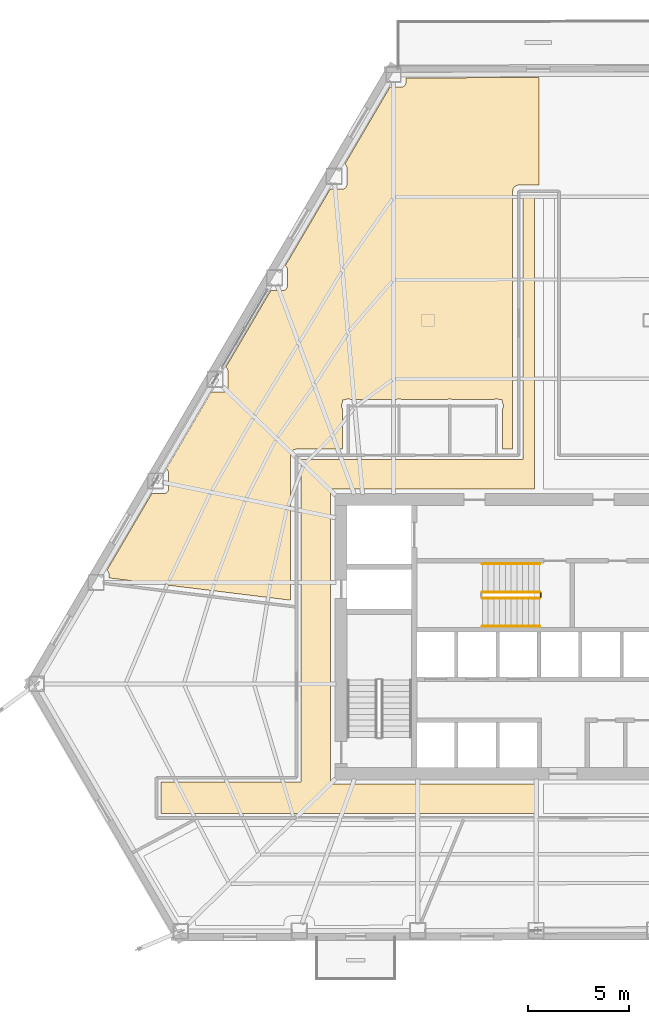
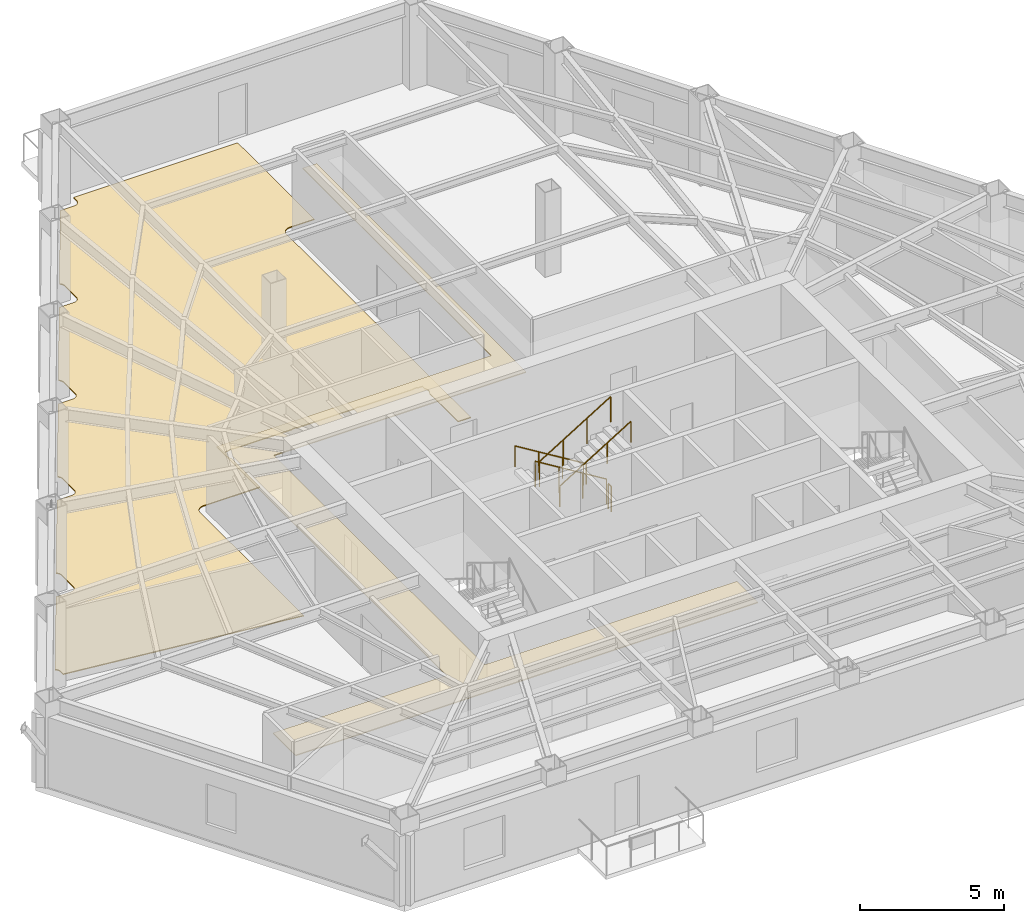
# One storey, part 13 of 15: 5 railings, 2 coverings.
"""IFC4 building model written with IfcOpenShell, lengths in metres."""

from ifc_helpers import new_model, si_unit, direction, frame, origin, origin_2d, place, context, subcontext, project, spatial, polyline, circle, outline, extrude, material, layer, layer_set, type_object, element, save


model = new_model("IFC4")

# Units and contexts
model_context = context("Model", 3, precision=1e-05, world=origin(), true_north=direction((0.0, 1.0)))
body_context = subcontext(model_context, "Body", "Model", "MODEL_VIEW")
ifc_project = project(units=[si_unit("LENGTHUNIT", "METRE"), si_unit("AREAUNIT", "SQUARE_METRE"), si_unit("VOLUMEUNIT", "CUBIC_METRE"), si_unit("PLANEANGLEUNIT", "RADIAN"), si_unit("MASSUNIT", "GRAM", prefix="KILO")], contexts=[model_context])

# Site, building, storey
site_placement = place(None, origin())
site = spatial("IfcSite", under=ifc_project, at=site_placement, CompositionType="ELEMENT")
building_placement = place(site_placement, origin())
building = spatial("IfcBuilding", under=site, at=building_placement, Name="Kavelnor Concourse Tower", CompositionType="ELEMENT")
storey_placement = place(building_placement, frame((0.0, 0.0, 63.75)))
storey = spatial("IfcBuildingStorey", under=building, at=storey_placement, Name="L16", CompositionType="ELEMENT", Elevation=63.75)

# Coverings
ifc_material_1 = material(Name="Mineral fibre acoustic ceiling tile")
ifc_layer_1 = layer(ifc_material_1, 0.0400390625, Name="Mineral fibre acoustic ceiling tile")
ifc_layer_set_1 = layer_set([ifc_layer_1], Name="Mineral fibre acoustic ceiling tile")
covering_type_1 = type_object("IfcCoveringType", Name="COV-CEILING-ACOUSTIC", PredefinedType="CEILING", material=ifc_layer_set_1)
covering_1_placement = place(storey_placement, frame((0.0, 0.0, 2.75)))
element("IfcCovering", 1, at=covering_1_placement, inside=storey, type_object=covering_type_1, Name="L16 Suspended Acoustic Ceiling", PredefinedType="CEILING", context=body_context, shape_type="SweptSolid", body=[
    extrude(outline(polyline([(37.219970703125, 37.97998046875), (37.77490234375, 37.97998046875), (37.77490234375, 23.419921875), (27.659912109375, 23.419921875), (27.659912109375, 8.780029296875), (37.77490234375, 8.780029296875), (37.77490234375, 7.320068359375), (19.23681640625, 7.320068359375), (19.23681640625, 8.8798828125), (26.199951171875, 8.8798828125), (26.199951171875, 24.8798828125), (37.219970703125, 24.8798828125), (37.219970703125, 37.97998046875)])), origin(), (0.0, 0.0, 1.0), 0.0400390625),
])
ifc_material_2 = material(Name="Honed bluestone and raised access floor finish", Category="masonry")
ifc_layer_2 = layer(ifc_material_2, 0.0400390625, Name="Honed bluestone and raised access floor finish")
ifc_layer_set_2 = layer_set([ifc_layer_2], Name="Honed bluestone and raised access floor finish")
covering_type_2 = type_object("IfcCoveringType", Name="COV-FLOOR-STONE", PredefinedType="FLOORING", material=ifc_layer_set_2)
covering_2_placement = place(storey_placement, frame((0.0, 0.0, 0.001953125)))
element("IfcCovering", 2, at=covering_2_placement, inside=storey, type_object=covering_type_2, Name="L16 Honed Bluestone Floor Finish", PredefinedType="FLOORING", context=body_context, shape_type="SweptSolid", body=[
    extrude(outline(polyline([(19.401123046875, 23.1923828125), (19.424560546875, 23.19580078125), (19.447265625, 23.201416015625), (19.469482421875, 23.20947265625), (19.490966796875, 23.219482421875), (19.510986328125, 23.231689453125), (19.530029296875, 23.24560546875), (19.547607421875, 23.261474609375), (19.563232421875, 23.279052734375), (19.577392578125, 23.2978515625), (19.589599609375, 23.318115234375), (19.599609375, 23.339599609375), (19.607421875, 23.36181640625), (19.61328125, 23.384521484375), (19.61669921875, 23.40771484375), (19.61767578125, 23.426025390625), (19.61767578125, 24.23681640625), (19.61669921875, 24.2548828125), (19.61328125, 24.2783203125), (19.607421875, 24.301025390625), (19.599609375, 24.3232421875), (19.589599609375, 24.3447265625), (19.577392578125, 24.364990234375), (19.563232421875, 24.3837890625), (19.547607421875, 24.4013671875), (19.530029296875, 24.4169921875), (19.51318359375, 24.429443359375), (21.739013671875, 28.22900390625), (22.333740234375, 28.22900390625), (22.35205078125, 28.22998046875), (22.375244140625, 28.2333984375), (22.398193359375, 28.2392578125), (22.42041015625, 28.2470703125), (22.441650390625, 28.257080078125), (22.4619140625, 28.269287109375), (22.480712890625, 28.283447265625), (22.498291015625, 28.29931640625), (22.51416015625, 28.316650390625), (22.5283203125, 28.335693359375), (22.540283203125, 28.355712890625), (22.55029296875, 28.377197265625), (22.558349609375, 28.3994140625), (22.56396484375, 28.422119140625), (22.5673828125, 28.445556640625), (22.568359375, 28.463623046875), (22.568359375, 29.2744140625), (22.5673828125, 29.292724609375), (22.56396484375, 29.31591796875), (22.558349609375, 29.3388671875), (22.55029296875, 29.361083984375), (22.540283203125, 29.38232421875), (22.5283203125, 29.402587890625), (22.51416015625, 29.42138671875), (22.498291015625, 29.43896484375), (22.480712890625, 29.454833984375), (22.464111328125, 29.46728515625), (24.68994140625, 33.266845703125), (25.28466796875, 33.266845703125), (25.302978515625, 33.267578125), (25.326171875, 33.271240234375), (25.34912109375, 33.27685546875), (25.37109375, 33.284912109375), (25.392578125, 33.294921875), (25.412841796875, 33.306884765625), (25.431640625, 33.321044921875), (25.44921875, 33.3369140625), (25.465087890625, 33.3544921875), (25.47900390625, 33.373291015625), (25.4912109375, 33.3935546875), (25.501220703125, 33.414794921875), (25.50927734375, 33.43701171875), (25.514892578125, 33.4599609375), (25.518310546875, 33.483154296875), (25.519287109375, 33.50146484375), (25.519287109375, 34.312255859375), (25.518310546875, 34.330322265625), (25.514892578125, 34.353759765625), (25.50927734375, 34.37646484375), (25.501220703125, 34.398681640625), (25.4912109375, 34.420166015625), (25.47900390625, 34.440185546875), (25.465087890625, 34.459228515625), (25.44921875, 34.476806640625), (25.431640625, 34.492431640625), (25.4150390625, 34.5048828125), (27.640869140625, 38.3046875), (28.235595703125, 38.3046875), (28.25390625, 38.305419921875), (28.277099609375, 38.30908203125), (28.2998046875, 38.314697265625), (28.322021484375, 38.322509765625), (28.343505859375, 38.332763671875), (28.36376953125, 38.3447265625), (28.382568359375, 38.35888671875), (28.400146484375, 38.374755859375), (28.416015625, 38.39208984375), (28.429931640625, 38.4111328125), (28.442138671875, 38.431396484375), (28.4521484375, 38.45263671875), (28.460205078125, 38.474853515625), (28.4658203125, 38.497802734375), (28.46923828125, 38.52099609375), (28.47021484375, 38.539306640625), (28.47021484375, 39.35009765625), (28.46923828125, 39.3681640625), (28.4658203125, 39.3916015625), (28.460205078125, 39.414306640625), (28.4521484375, 39.4365234375), (28.442138671875, 39.4580078125), (28.429931640625, 39.47802734375), (28.416015625, 39.4970703125), (28.400146484375, 39.514404296875), (28.382568359375, 39.5302734375), (28.365966796875, 39.542724609375), (30.603515625, 43.3623046875), (31.16650390625, 43.3623046875), (31.184814453125, 43.36328125), (31.2080078125, 43.36669921875), (31.230712890625, 43.372314453125), (31.2529296875, 43.38037109375), (31.2744140625, 43.390380859375), (31.294677734375, 43.402587890625), (31.3134765625, 43.41650390625), (31.3310546875, 43.432373046875), (31.3466796875, 43.449951171875), (31.36083984375, 43.46875), (31.373046875, 43.489013671875), (31.383056640625, 43.510498046875), (31.39111328125, 43.53271484375), (31.396728515625, 43.555419921875), (31.400146484375, 43.57861328125), (31.401123046875, 43.596923828125), (31.401123046875, 43.82373046875), (37.9951171875, 43.839599609375), (37.9951171875, 38.50244140625), (36.99462890625, 38.50244140625), (36.97021484375, 38.501220703125), (36.94091796875, 38.496826171875), (36.912109375, 38.48974609375), (36.884033203125, 38.479736328125), (36.857421875, 38.467041015625), (36.831787109375, 38.45166015625), (36.807861328125, 38.43408203125), (36.785888671875, 38.4140625), (36.76611328125, 38.39208984375), (36.748291015625, 38.3681640625), (36.73291015625, 38.3427734375), (36.72021484375, 38.31591796875), (36.710205078125, 38.287841796875), (36.703125, 38.259033203125), (36.69873046875, 38.229736328125), (36.697509765625, 38.205322265625), (36.697509765625, 25.402587890625), (36.18505859375, 25.402587890625), (36.18505859375, 27.388671875), (36.187255859375, 27.3916015625), (36.20166015625, 27.41552734375), (36.213623046875, 27.44091796875), (36.222900390625, 27.46728515625), (36.229736328125, 27.494384765625), (36.23388671875, 27.52197265625), (36.2353515625, 27.550048828125), (36.23388671875, 27.577880859375), (36.229736328125, 27.605712890625), (36.222900390625, 27.6328125), (36.213623046875, 27.6591796875), (36.20166015625, 27.6845703125), (36.187255859375, 27.70849609375), (36.1796875, 27.718505859375), (36.17919921875, 27.8701171875), (36.0166015625, 27.8701171875), (36.00927734375, 27.87353515625), (35.98291015625, 27.883056640625), (35.955810546875, 27.889892578125), (35.927978515625, 27.893798828125), (35.89990234375, 27.895263671875), (35.8720703125, 27.893798828125), (35.84423828125, 27.889892578125), (35.817138671875, 27.883056640625), (35.790771484375, 27.87353515625), (35.785888671875, 27.87109375), (33.696533203125, 27.8701171875), (33.689208984375, 27.87353515625), (33.662841796875, 27.883056640625), (33.6357421875, 27.889892578125), (33.60791015625, 27.893798828125), (33.580078125, 27.895263671875), (33.552001953125, 27.893798828125), (33.5244140625, 27.889892578125), (33.497314453125, 27.883056640625), (33.470703125, 27.87353515625), (33.4658203125, 27.87109375), (31.176513671875, 27.8701171875), (31.169189453125, 27.87353515625), (31.142822265625, 27.883056640625), (31.11572265625, 27.889892578125), (31.087890625, 27.893798828125), (31.06005859375, 27.895263671875), (31.031982421875, 27.893798828125), (31.00439453125, 27.889892578125), (30.977294921875, 27.883056640625), (30.95068359375, 27.87353515625), (30.94580078125, 27.87109375), (28.656494140625, 27.8701171875), (28.649169921875, 27.87353515625), (28.622802734375, 27.883056640625), (28.595703125, 27.889892578125), (28.568115234375, 27.893798828125), (28.5400390625, 27.895263671875), (28.511962890625, 27.893798828125), (28.484375, 27.889892578125), (28.457275390625, 27.883056640625), (28.430908203125, 27.87353515625), (28.40771484375, 27.862548828125), (28.260009765625, 27.843994140625), (28.260009765625, 27.71826171875), (28.252685546875, 27.70849609375), (28.23828125, 27.6845703125), (28.226318359375, 27.6591796875), (28.217041015625, 27.6328125), (28.210205078125, 27.605712890625), (28.2060546875, 27.577880859375), (28.20458984375, 27.550048828125), (28.2060546875, 27.52197265625), (28.210205078125, 27.494384765625), (28.217041015625, 27.46728515625), (28.226318359375, 27.44091796875), (28.23828125, 27.41552734375), (28.252685546875, 27.3916015625), (28.2548828125, 27.388671875), (28.2548828125, 25.402587890625), (25.974609375, 25.402587890625), (25.9501953125, 25.4013671875), (25.9208984375, 25.39697265625), (25.89208984375, 25.3896484375), (25.864013671875, 25.379638671875), (25.83740234375, 25.366943359375), (25.811767578125, 25.351806640625), (25.787841796875, 25.333984375), (25.765869140625, 25.314208984375), (25.74609375, 25.2919921875), (25.728271484375, 25.268310546875), (25.712890625, 25.24267578125), (25.7001953125, 25.2158203125), (25.690185546875, 25.18798828125), (25.68310546875, 25.1591796875), (25.6787109375, 25.129638671875), (25.677490234375, 25.10546875), (25.677490234375, 17.90771484375), (16.666748046875, 19.012451171875), (16.666748046875, 19.198974609375), (16.665771484375, 19.21728515625), (16.662353515625, 19.240478515625), (16.656494140625, 19.26318359375), (16.648681640625, 19.285400390625), (16.638671875, 19.306884765625), (16.62646484375, 19.3271484375), (16.6123046875, 19.345947265625), (16.5966796875, 19.363525390625), (16.5791015625, 19.37939453125), (16.5625, 19.3916015625), (18.7880859375, 23.19140625), (19.383056640625, 23.19140625), (19.401123046875, 23.1923828125)])), origin(), (0.0, 0.0, 1.0), 0.0400390625),
])

# Railings
ifc_material_3 = material(Name="Steel Grade 350", Category="steel")
railing_type_1 = type_object("IfcRailingType", Name="RLG-GUARD-1100", PredefinedType="GUARDRAIL", material=ifc_material_3)
railing_1_placement = place(storey_placement, frame((38.0400390625, 18.31005859375, 0.175048828125)))
element("IfcRailing", 3, at=railing_1_placement, inside=storey, type_object=railing_type_1, Name="L16 ST3 stair guard 1", PredefinedType="GUARDRAIL", context=body_context, shape_type="SweptSolid", body=[
    extrude(circle(Radius=0.02392578125, at=origin_2d()), frame((0.0, 0.0, 1.076171875), z_axis=(-0.852179220489, 0.0, 0.52325001306), x_axis=(0.0, -1.0, 0.0)), (0.0, 0.0, 1.0), 3.344482421875),
    extrude(circle(Radius=0.02099609375, at=origin_2d()), origin(), (0.0, 0.0, 1.0), 1.052001953125),
    extrude(circle(Radius=0.02099609375, at=origin_2d()), frame((-0.949951171875, 0.0, 0.583251953125)), (0.0, 0.0, 1.0), 1.052001953125),
    extrude(circle(Radius=0.02099609375, at=origin_2d()), frame((-1.900146484375, 0.0, 1.166748046875)), (0.0, 0.0, 1.0), 1.052001953125),
    extrude(circle(Radius=0.02099609375, at=origin_2d()), frame((-2.85009765625, 0.0, 1.75)), (0.0, 0.0, 1.0), 1.052001953125),
])
railing_2_placement = place(storey_placement, frame((35.18994140625, 18.010009765625, 2.10009765625)))
element("IfcRailing", 4, at=railing_2_placement, inside=storey, type_object=railing_type_1, Name="L16 ST3 stair guard 3", PredefinedType="GUARDRAIL", context=body_context, shape_type="SweptSolid", body=[
    extrude(circle(Radius=0.02392578125, at=origin_2d()), frame((0.0, 0.0, 1.076171875), z_axis=(0.852179220489, 0.0, 0.52325001306), x_axis=(0.0, 1.0, 0.0)), (0.0, 0.0, 1.0), 3.344482421875),
    extrude(circle(Radius=0.02099609375, at=origin_2d()), origin(), (0.0, 0.0, 1.0), 1.052001953125),
    extrude(circle(Radius=0.02099609375, at=origin_2d()), frame((0.949951171875, 0.0, 0.583251953125)), (0.0, 0.0, 1.0), 1.052001953125),
    extrude(circle(Radius=0.02099609375, at=origin_2d()), frame((1.900146484375, 0.0, 1.166748046875)), (0.0, 0.0, 1.0), 1.052001953125),
    extrude(circle(Radius=0.02099609375, at=origin_2d()), frame((2.85009765625, 0.0, 1.75)), (0.0, 0.0, 1.0), 1.052001953125),
])
railing_3_placement = place(storey_placement, frame((38.090087890625, 18.260009765625, 0.0)))
element("IfcRailing", 5, at=railing_3_placement, inside=storey, type_object=railing_type_1, Name="L16 ST3 stair guard 4", PredefinedType="GUARDRAIL", context=body_context, shape_type="SweptSolid", body=[
    extrude(circle(Radius=0.02392578125, at=origin_2d()), frame((0.0, 0.0, 1.076171875), z_axis=(0.0, -1.0, 0.0), x_axis=(1.0, 0.0, 0.0)), (0.0, 0.0, 1.0), 0.199951171875),
    extrude(circle(Radius=0.02099609375, at=origin_2d()), origin(), (0.0, 0.0, 1.0), 1.052001953125),
    extrude(circle(Radius=0.02099609375, at=origin_2d()), frame((0.0, -0.199951171875, 0.0)), (0.0, 0.0, 1.0), 1.052001953125),
])
railing_type_2 = type_object("IfcRailingType", Name="RLG-HANDRAIL-900", PredefinedType="HANDRAIL", material=ifc_material_3)
railing_4_placement = place(storey_placement, frame((38.0400390625, 19.7099609375, 0.175048828125)))
element("IfcRailing", 6, at=railing_4_placement, inside=storey, type_object=railing_type_2, Name="L16 ST3 stair handrail 1", PredefinedType="HANDRAIL", context=body_context, shape_type="SweptSolid", body=[
    extrude(circle(Radius=0.02392578125, at=origin_2d()), frame((0.0, 0.0, 0.8759765625), z_axis=(-0.852179220489, 0.0, 0.52325001306), x_axis=(0.0, -1.0, 0.0)), (0.0, 0.0, 1.0), 3.344482421875),
    extrude(circle(Radius=0.02099609375, at=origin_2d()), origin(), (0.0, 0.0, 1.0), 0.851806640625),
    extrude(circle(Radius=0.02099609375, at=origin_2d()), frame((-0.949951171875, 0.0, 0.583251953125)), (0.0, 0.0, 1.0), 0.851806640625),
    extrude(circle(Radius=0.02099609375, at=origin_2d()), frame((-1.900146484375, 0.0, 1.166748046875)), (0.0, 0.0, 1.0), 0.851806640625),
    extrude(circle(Radius=0.02099609375, at=origin_2d()), frame((-2.85009765625, 0.0, 1.75)), (0.0, 0.0, 1.0), 0.851806640625),
])
railing_5_placement = place(storey_placement, frame((35.18994140625, 16.610107421875, 2.10009765625)))
element("IfcRailing", 7, at=railing_5_placement, inside=storey, type_object=railing_type_2, Name="L16 ST3 stair handrail 2", PredefinedType="HANDRAIL", context=body_context, shape_type="SweptSolid", body=[
    extrude(circle(Radius=0.02392578125, at=origin_2d()), frame((0.0, 0.0, 0.8759765625), z_axis=(0.852179220489, 0.0, 0.52325001306), x_axis=(0.0, 1.0, 0.0)), (0.0, 0.0, 1.0), 3.344482421875),
    extrude(circle(Radius=0.02099609375, at=origin_2d()), origin(), (0.0, 0.0, 1.0), 0.851806640625),
    extrude(circle(Radius=0.02099609375, at=origin_2d()), frame((0.949951171875, 0.0, 0.583251953125)), (0.0, 0.0, 1.0), 0.851806640625),
    extrude(circle(Radius=0.02099609375, at=origin_2d()), frame((1.900146484375, 0.0, 1.166748046875)), (0.0, 0.0, 1.0), 0.851806640625),
    extrude(circle(Radius=0.02099609375, at=origin_2d()), frame((2.85009765625, 0.0, 1.75)), (0.0, 0.0, 1.0), 0.851806640625),
])

save(model, "model.ifc")
